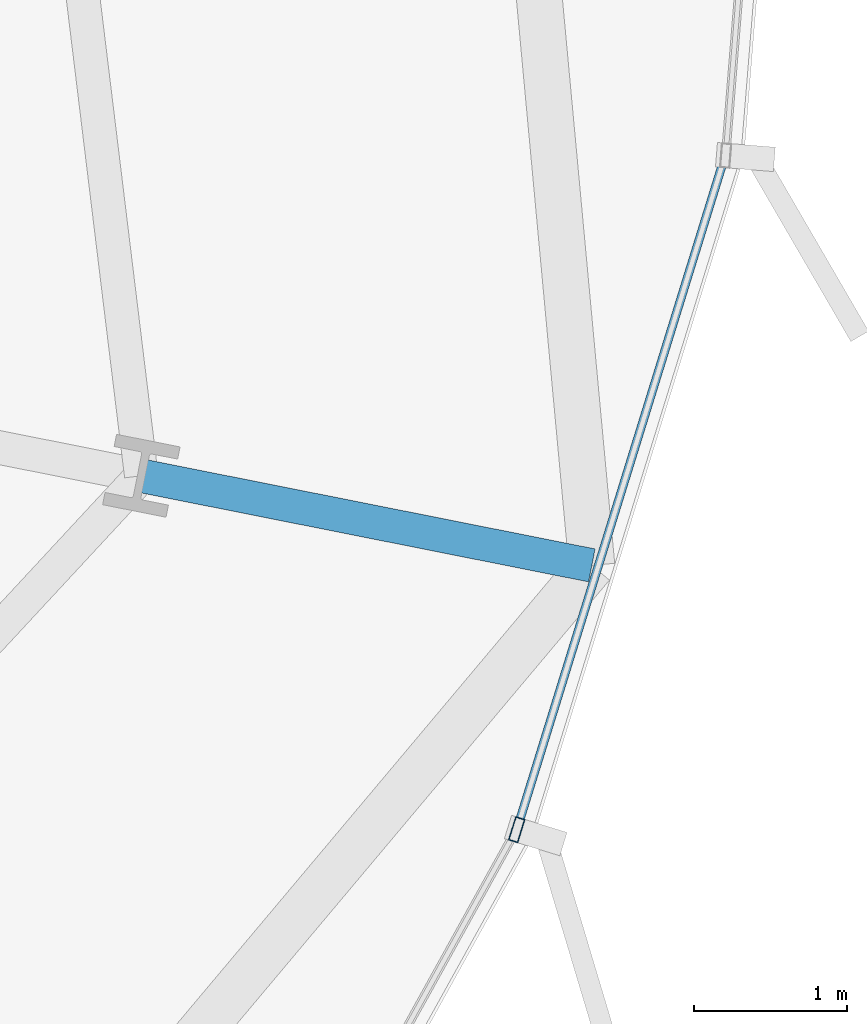
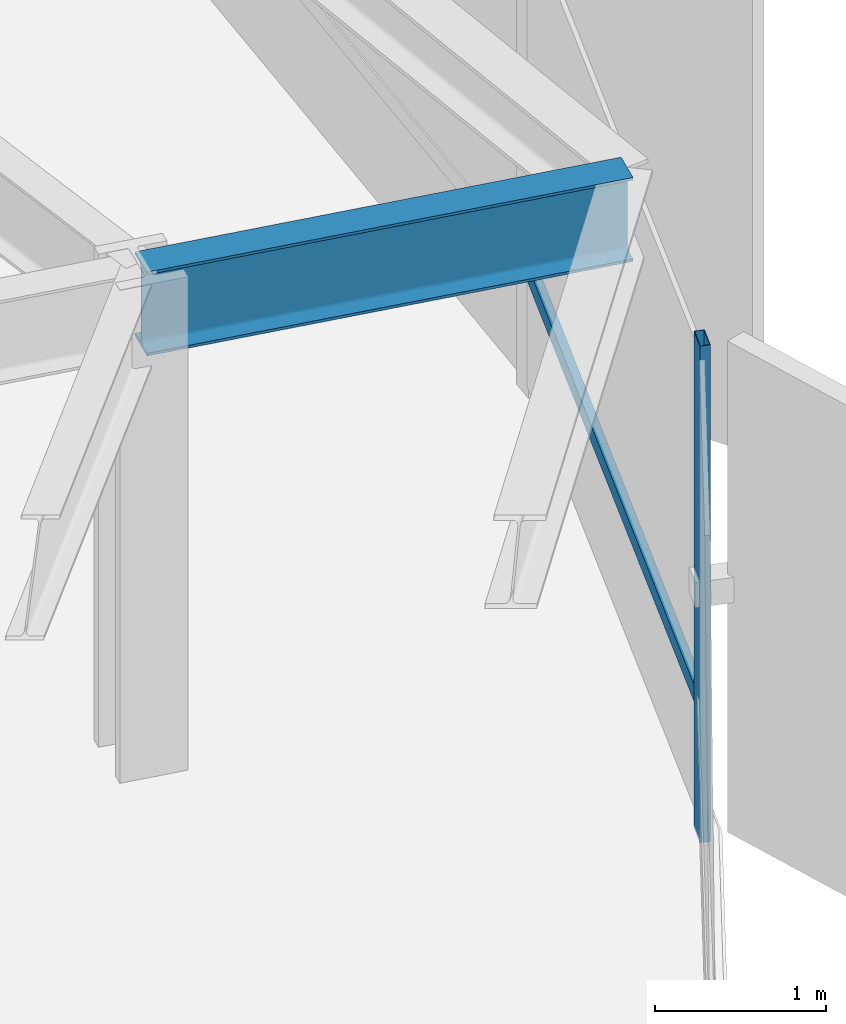
# One storey, part 17 of 42: 2 members, 1 beam, 1 element without a shape of its own.
"""IFC4 building model written with IfcOpenShell, lengths in metres."""

from ifc_helpers import new_model, si_unit, direction, frame, origin, origin_2d, place, context, subcontext, project, spatial, hollow_rectangle, i_section, extrude, source, transform, mapped, material, layer, layer_set, material_profile, profile_set, type_object, element, aggregate, save


model = new_model("IFC4")

# Units and contexts
model_context = context("Model", 3, precision=1e-05, world=origin(), true_north=direction((0.0, 1.0)))
body_context = subcontext(model_context, "Body", "Model", "MODEL_VIEW")
ifc_project = project(units=[si_unit("LENGTHUNIT", "METRE"), si_unit("AREAUNIT", "SQUARE_METRE"), si_unit("VOLUMEUNIT", "CUBIC_METRE"), si_unit("PLANEANGLEUNIT", "RADIAN"), si_unit("MASSUNIT", "GRAM", prefix="KILO"), si_unit("THERMODYNAMICTEMPERATUREUNIT", "KELVIN")], contexts=[model_context])

# Site, building, storey
site_placement = place(None, origin())
site = spatial("IfcSite", under=ifc_project, at=site_placement, CompositionType="ELEMENT")
building_placement = place(site_placement, origin())
building = spatial("IfcBuilding", under=site, at=building_placement, Name="Kethvar Cultural Tower", CompositionType="ELEMENT")
storey_placement = place(building_placement, frame((0.0, 0.0, 37.199951171875)))
storey = spatial("IfcBuildingStorey", under=building, at=storey_placement, Name="L08", CompositionType="ELEMENT", Elevation=37.199951171875)

# Beam
ifc_material_1 = material(Name="Steel S355J2", Category="steel")
ifc_material_profile_1 = material_profile(ifc_material_1, i_section(OverallWidth=0.219970703125, OverallDepth=0.60009765625, WebThickness=0.011962890625, FlangeThickness=0.01904296875, FilletRadius=0.02392578125, at=origin_2d()), Name="Steel S355J2 — IPE600")
ifc_profile_set_1 = profile_set([ifc_material_profile_1], Name="Steel S355J2 — IPE600")
beam_type = type_object("IfcBeamType", Name="BM-IPE600", PredefinedType="BEAM", material=ifc_profile_set_1)
shared_shape_1 = source(origin(), body_context, "Body", "SweptSolid", [
    extrude(i_section(OverallWidth=0.219970703125, OverallDepth=0.60009765625, WebThickness=0.011962890625, FlangeThickness=0.01904296875, FilletRadius=0.02392578125, at=origin_2d()), origin(), (0.0, 0.0, 1.0), 3.005126953125),
])
beam_placement = place(storey_placement, frame((74.9912109375, 22.1923828125, 3.248046875), z_axis=(0.98079257018, -0.195053670256, 0.0), x_axis=(0.195053670256, 0.98079257018, 0.0)))
element("IfcBeam", 1, at=beam_placement, inside=storey, type_object=beam_type, Name="L08 Perimeter Cantilever Beam RC-16", PredefinedType="BEAM", context=body_context, shape_type="MappedRepresentation", body=[
    mapped(shared_shape_1, transform((0.0, 0.0, 0.0), scale=1.0)),
])

# Curtain wall, members
ifc_material_2 = material(Name="Aluminium 6063-T6", Category="aluminium")
ifc_layer = layer(ifc_material_2, 0.179931640625, Name="Aluminium 6063-T6", Category="aluminium")
ifc_layer_set = layer_set([ifc_layer], Name="Aluminium 6063-T6 (180 mm)")
curtain_wall_type = type_object("IfcCurtainWallType", Name="CW-SYS-02-Z1", PredefinedType="NOTDEFINED", material=ifc_layer_set)
curtain_wall_placement = place(storey_placement, origin())
curtain_wall = element("IfcCurtainWall", 2, at=curtain_wall_placement, inside=storey, type_object=curtain_wall_type, Name="L08 Curtain Wall Run 06", PredefinedType="NOTDEFINED")
ifc_material_profile_2 = material_profile(ifc_material_2, hollow_rectangle(XDim=0.06494140625, YDim=0.159912109375, WallThickness=0.0048828125, at=origin_2d()), Name="Aluminium 6063-T6 — RHS160x65x5")
ifc_profile_set_2 = profile_set([ifc_material_profile_2], Name="Aluminium 6063-T6 — RHS160x65x5")
member_type_1 = type_object("IfcMemberType", Name="CW-SYS-02-Z1-MUL", PredefinedType="MULLION", material=ifc_profile_set_2)
shared_shape_2 = source(origin(), body_context, "Body", "SweptSolid", [
    extrude(hollow_rectangle(XDim=0.06494140625, YDim=0.159912109375, WallThickness=0.0048828125, at=origin_2d()), origin(), (0.0, 0.0, 1.0), 3.550048828125),
])
member_1_placement = place(storey_placement, frame((77.447509765625, 19.876953125, 0.0), z_axis=(0.0, 0.0, 1.0), x_axis=(-0.955412451818, 0.295274528043, 0.0)))
member_1 = element("IfcMember", 3, at=member_1_placement, type_object=member_type_1, Name="CW-L08-R06 Mullion 5", PredefinedType="MULLION", context=body_context, shape_type="MappedRepresentation", body=[
    mapped(shared_shape_2, transform((0.0, 0.0, 0.0), scale=1.0)),
])
ifc_material_profile_3 = material_profile(ifc_material_2, hollow_rectangle(XDim=0.054931640625, YDim=0.1201171875, WallThickness=0.00390625, at=origin_2d()), Name="Aluminium 6063-T6 — RHS120x55x4")
ifc_profile_set_3 = profile_set([ifc_material_profile_3], Name="Aluminium 6063-T6 — RHS120x55x4")
member_type_2 = type_object("IfcMemberType", Name="CW-SYS-02-Z1-TRN", PredefinedType="USERDEFINED", material=ifc_profile_set_3)
shared_shape_3 = source(origin(), body_context, "Body", "SweptSolid", [
    extrude(hollow_rectangle(XDim=0.054931640625, YDim=0.1201171875, WallThickness=0.00390625, at=origin_2d()), origin(), (0.0, 0.0, 1.0), 4.55029296875),
])
member_2_placement = place(storey_placement, frame((77.46142578125, 19.921630859375, 0.949951171875), z_axis=(0.295258185834, 0.955417502298, 0.0), x_axis=(-0.955417502298, 0.295258185834, 0.0)))
member_2 = element("IfcMember", 4, at=member_2_placement, type_object=member_type_2, Name="CW-L08-R06 Transom 5", ObjectType="TRANSOM", PredefinedType="USERDEFINED", context=body_context, shape_type="MappedRepresentation", body=[
    mapped(shared_shape_3, transform((0.0, 0.0, 0.0), scale=1.0)),
])
aggregate(curtain_wall, [member_1, member_2])

save(model, "model.ifc")
